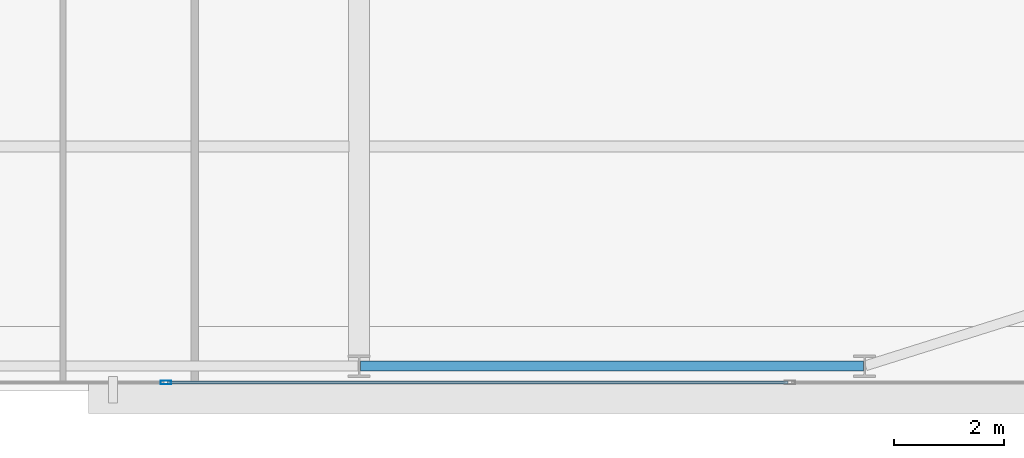
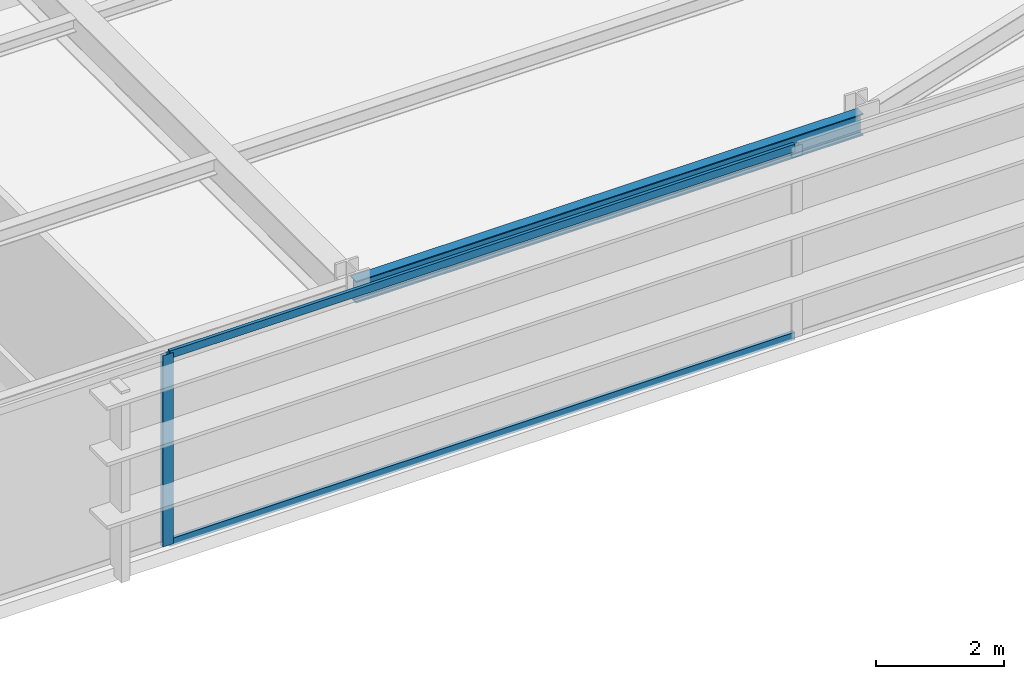
# One storey, part 12 of 30: 3 members, 1 beam, 1 element without a shape of its own.
"""IFC4 building model written with IfcOpenShell, lengths in metres."""

from ifc_helpers import new_model, si_unit, direction, frame, origin, origin_2d, place, context, subcontext, project, spatial, hollow_rectangle, i_section, extrude, source, transform, mapped, material, layer, layer_set, material_profile, profile_set, type_object, type_shapes, element, aggregate, save


model = new_model("IFC4")

# Units and contexts
model_context = context("Model", 3, precision=1e-05, world=origin(), true_north=direction((0.0, 1.0)))
body_context = subcontext(model_context, "Body", "Model", "MODEL_VIEW")
ifc_project = project(units=[si_unit("LENGTHUNIT", "METRE"), si_unit("AREAUNIT", "SQUARE_METRE"), si_unit("VOLUMEUNIT", "CUBIC_METRE"), si_unit("PLANEANGLEUNIT", "RADIAN"), si_unit("MASSUNIT", "GRAM", prefix="KILO")], contexts=[model_context])

# Site, building, storey
site_placement = place(None, origin())
site = spatial("IfcSite", under=ifc_project, at=site_placement, CompositionType="ELEMENT")
building_placement = place(site_placement, origin())
building = spatial("IfcBuilding", under=site, at=building_placement, Name="Varnel Quay Broadcast Tower", CompositionType="ELEMENT")
storey_placement = place(building_placement, frame((0.0, 0.0, 62.699951171875)))
storey = spatial("IfcBuildingStorey", under=building, at=storey_placement, Name="L14", CompositionType="ELEMENT", Elevation=62.699951171875)

# Beam
ifc_material_1 = material(Name="Structural Steel CSA G40.21 350W", Category="steel")
ifc_material_profile_1 = material_profile(ifc_material_1, i_section(OverallWidth=0.180908203125, OverallDepth=0.4169921875, WebThickness=0.010986328125, FlangeThickness=0.018310546875, FilletRadius=0.011962890625, at=origin_2d()), Name="W410X85")
ifc_profile_set_1 = profile_set([ifc_material_profile_1], Name="Structural Steel CSA G40.21 350W")
beam_type = type_object("IfcBeamType", Name="Beam_W410X85", PredefinedType="SPANDREL", material=ifc_profile_set_1)
shared_shape_1 = source(origin(), body_context, "Body", "SweptSolid", [
    extrude(i_section(OverallWidth=0.180908203125, OverallDepth=0.4169921875, WebThickness=0.010986328125, FlangeThickness=0.018310546875, FilletRadius=0.011962890625, at=origin_2d()), origin(), (0.0, 0.0, 1.0), 9.159912109375),
])
type_shapes(beam_type, [shared_shape_1])
beam_placement = place(storey_placement, frame((43.219970703125, 1.64990234375, 3.441650390625), z_axis=(1.0, 0.0, 0.0), x_axis=(0.0, 1.0, 0.0)))
element("IfcBeam", 1, at=beam_placement, inside=storey, type_object=beam_type, Name="L14 South Spandrel TC-S4-TC-S5", PredefinedType="SPANDREL", context=body_context, shape_type="MappedRepresentation", body=[
    mapped(shared_shape_1, transform((0.0, 0.0, 0.0), x_axis=(1.0, 0.0, 0.0), y_axis=(0.0, 1.0, 0.0), z_axis=(0.0, 0.0, 1.0), scale=1.0)),
])

# Curtain wall, members
ifc_material_2 = material(Name="Anodised Bronze Aluminium 6063-T6", Category="aluminium")
ifc_layer = layer(ifc_material_2, 0.18994140625, Name="Anodised Bronze Aluminium 6063-T6")
ifc_layer_set = layer_set([ifc_layer], Name="Anodised Bronze Aluminium 6063-T6")
curtain_wall_type = type_object("IfcCurtainWallType", Name="CW_LowerTower", PredefinedType="NOTDEFINED", material=ifc_layer_set)
curtain_wall_placement = place(storey_placement, origin())
curtain_wall = element("IfcCurtainWall", 2, at=curtain_wall_placement, inside=storey, type_object=curtain_wall_type, Name="L14 South Unitised Curtain Wall 1", PredefinedType="NOTDEFINED")
ifc_material_profile_2 = material_profile(ifc_material_2, hollow_rectangle(XDim=0.06005859375, YDim=0.14501953125, WallThickness=0.00341796875, at=origin_2d()), Name="ALU60X145X3.5")
ifc_profile_set_2 = profile_set([ifc_material_profile_2], Name="Anodised Bronze Aluminium 6063-T6")
member_type_1 = type_object("IfcMemberType", Name="Tran_CWS-02", PredefinedType="USERDEFINED", material=ifc_profile_set_2)
shared_shape_2 = source(origin(), body_context, "Body", "SweptSolid", [
    extrude(hollow_rectangle(XDim=0.06005859375, YDim=0.14501953125, WallThickness=0.00341796875, at=origin_2d()), origin(), (0.0, 0.0, 1.0), 11.289794921875),
])
type_shapes(member_type_1, [shared_shape_2])
member_1_placement = place(storey_placement, frame((39.715087890625, 1.35009765625, 0.030029296875), z_axis=(1.0, 0.0, 0.0), x_axis=(0.0, 1.0, 0.0)))
member_1 = element("IfcMember", 3, at=member_1_placement, type_object=member_type_1, Name="CWS-02 transom 4.1", ObjectType="TRANSOM", PredefinedType="USERDEFINED", context=body_context, shape_type="MappedRepresentation", body=[
    mapped(shared_shape_2, transform((0.0, 0.0, 0.0), x_axis=(1.0, 0.0, 0.0), y_axis=(0.0, 1.0, 0.0), z_axis=(0.0, 0.0, 1.0), scale=1.0)),
])
member_2_placement = place(storey_placement, frame((39.715087890625, 1.35009765625, 3.6201171875), z_axis=(1.0, 0.0, 0.0), x_axis=(0.0, 1.0, 0.0)))
member_2 = element("IfcMember", 4, at=member_2_placement, type_object=member_type_1, Name="CWS-02 transom 4.2", ObjectType="TRANSOM", PredefinedType="USERDEFINED", context=body_context, shape_type="MappedRepresentation", body=[
    mapped(shared_shape_2, transform((0.0, 0.0, 0.0), x_axis=(1.0, 0.0, 0.0), y_axis=(0.0, 1.0, 0.0), z_axis=(0.0, 0.0, 1.0), scale=1.0)),
])
ifc_material_profile_3 = material_profile(ifc_material_2, hollow_rectangle(XDim=0.070068359375, YDim=0.18994140625, WallThickness=0.00390625, at=origin_2d()), Name="ALU70X190X4")
ifc_profile_set_3 = profile_set([ifc_material_profile_3], Name="Anodised Bronze Aluminium 6063-T6")
member_type_2 = type_object("IfcMemberType", Name="Mull_CWS-02", PredefinedType="MULLION", material=ifc_profile_set_3)
shared_shape_3 = source(origin(), body_context, "Body", "SweptSolid", [
    extrude(hollow_rectangle(XDim=0.070068359375, YDim=0.18994140625, WallThickness=0.00390625, at=origin_2d()), origin(), (0.0, 0.0, 1.0), 3.650146484375),
])
type_shapes(member_type_2, [shared_shape_3])
member_3_placement = place(storey_placement, frame((39.679931640625, 1.35009765625, 0.0), z_axis=(0.0, 0.0, 1.0), x_axis=(0.0, 1.0, 0.0)))
member_3 = element("IfcMember", 5, at=member_3_placement, type_object=member_type_2, Name="CWS-02 mullion 4", PredefinedType="MULLION", context=body_context, shape_type="MappedRepresentation", body=[
    mapped(shared_shape_3, transform((0.0, 0.0, 0.0), x_axis=(1.0, 0.0, 0.0), y_axis=(0.0, 1.0, 0.0), z_axis=(0.0, 0.0, 1.0), scale=1.0)),
])
aggregate(curtain_wall, [member_3, member_1, member_2])

save(model, "model.ifc")
